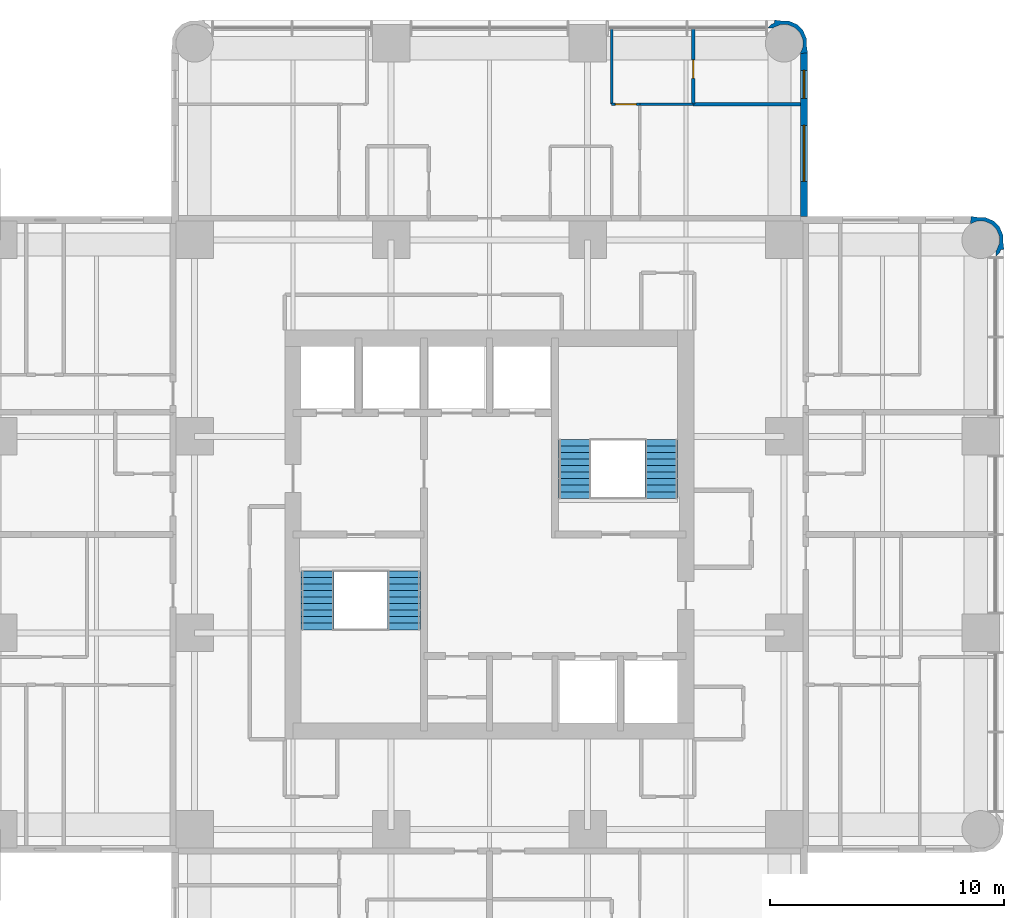
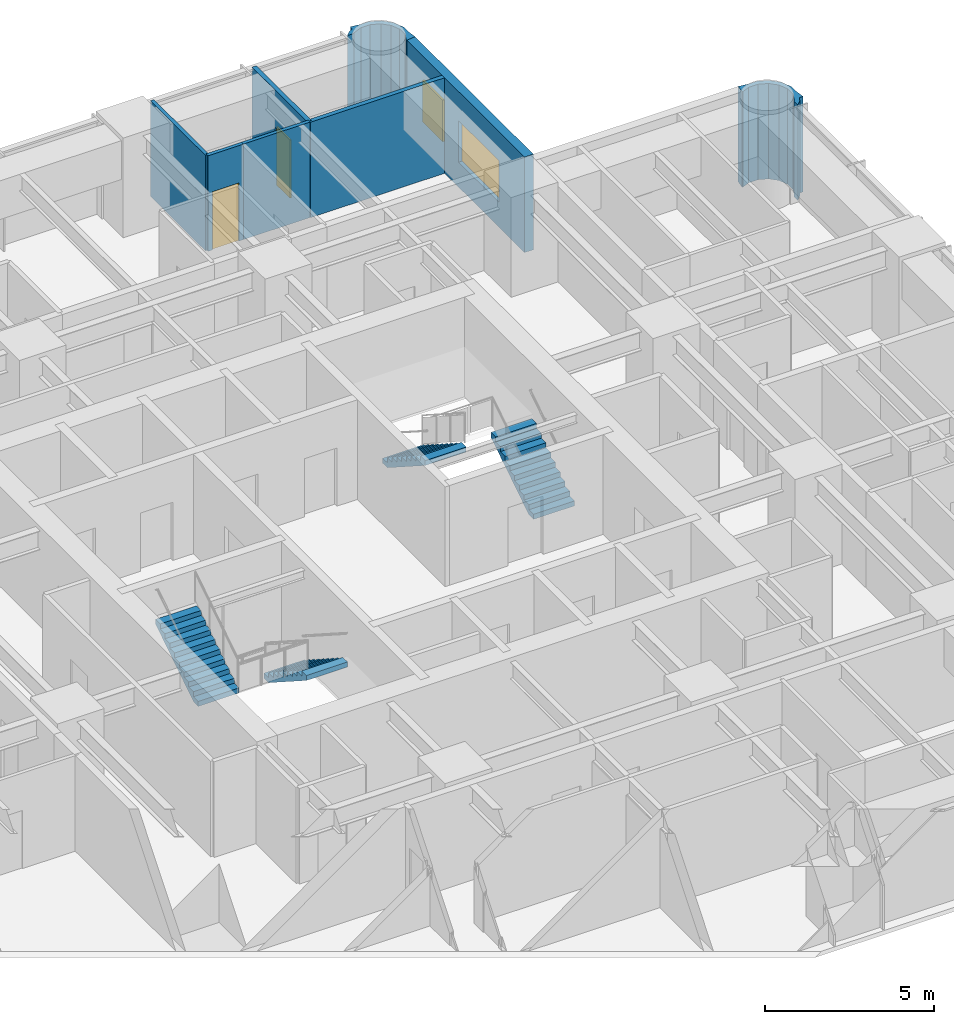
# One storey, part 10 of 11: 8 walls, 4 stair flights, 2 doors, 2 windows, 4 openings, 2 elements without a shape of their own.
"""IFC4 building model written with IfcOpenShell, lengths in metres."""

from ifc_helpers import new_model, si_unit, direction, frame, frame_2d, origin, place, context, subcontext, project, spatial, polyline, rectangle, outline, extrude, material, layer, layer_set, type_object, element, fill, aggregate, save


model = new_model("IFC4")

# Units and contexts
model_context = context("Model", 3, precision=1e-05, world=origin(), true_north=direction((0.0, 1.0)))
body_context = subcontext(model_context, "Body", "Model", "MODEL_VIEW")
ifc_project = project(units=[si_unit("LENGTHUNIT", "METRE"), si_unit("AREAUNIT", "SQUARE_METRE"), si_unit("VOLUMEUNIT", "CUBIC_METRE"), si_unit("PLANEANGLEUNIT", "RADIAN"), si_unit("MASSUNIT", "GRAM", prefix="KILO")], contexts=[model_context])

# Site, building, storey
site_placement = place(None, origin())
site = spatial("IfcSite", under=ifc_project, at=site_placement, CompositionType="ELEMENT")
building_placement = place(site_placement, origin())
building = spatial("IfcBuilding", under=site, at=building_placement, Name="Torre Alcanfor", CompositionType="ELEMENT")
storey_placement = place(building_placement, frame((0.0, 0.0, 240.89990234375)))
storey = spatial("IfcBuildingStorey", under=building, at=storey_placement, Name="L63", CompositionType="ELEMENT", Elevation=240.89990234375)

# Wall
ifc_material_1 = material(Name="Gypsum board on steel studs", Category="steel")
ifc_layer_1 = layer(ifc_material_1, 0.1201171875)
ifc_layer_set_1 = layer_set([ifc_layer_1], Name="Apartment partition 120")
wall_type_1 = type_object("IfcWallType", Name="Apartment partition 120", PredefinedType="PARTITIONING", material=ifc_layer_set_1)
wall_1_placement = place(storey_placement, frame((34.62890625, 51.050048828125, 0.0), z_axis=(0.0, 0.0, 1.0), x_axis=(0.0, -1.0, 0.0)))
element("IfcWall", 1, at=wall_1_placement, inside=storey, type_object=wall_type_1, Name="Partition L63-NX-LIVING / L63-NX-BED1", PredefinedType="PARTITIONING", context=body_context, shape_type="SweptSolid", body=[
    extrude(rectangle(XDim=3.25, YDim=0.1201171875, at=frame_2d((1.625, 0.0))), origin(), (0.0, 0.0, 1.0), 3.4501953125),
])

# Wall, opening, door
wall_2_placement = place(storey_placement, frame((34.62890625, 47.800048828125, 0.0), z_axis=(0.0, 0.0, 1.0), x_axis=(1.0, 0.0, 0.0)))
wall_2 = element("IfcWall", 2, at=wall_2_placement, inside=storey, type_object=wall_type_1, Name="Partition L63-NX-LIVING / L63-NX-BED1", PredefinedType="PARTITIONING", context=body_context, shape_type="SweptSolid", body=[
    extrude(rectangle(XDim=1.2001953125, YDim=0.1201171875, at=frame_2d((0.60009765625, 0.0))), origin(), (0.0, 0.0, 1.0), 3.4501953125),
])
opening_1_placement = place(wall_2_placement, frame((0.15087890625, 0.0, 0.0)))
opening_1 = element("IfcOpeningElement", 3, at=opening_1_placement, cuts=wall_2, Name="Opening D-R1", PredefinedType="OPENING", context=body_context, shape_type="SweptSolid", body=[
    extrude(rectangle(XDim=0.89990234375, YDim=2.10009765625, at=frame_2d((0.449951171875, 1.050048828125))), frame((0.0, 0.070068359375, 0.0), z_axis=(0.0, -1.0, 0.0), x_axis=(1.0, 0.0, 0.0)), (0.0, 0.0, 1.0), 0.14013671875),
])
ifc_material_2 = material(Name="Timber", Category="wood")
door_type_1 = type_object("IfcDoorType", Name="Internal door 900x2100", OperationType="SINGLE_SWING_LEFT", PredefinedType="DOOR", material=ifc_material_2)
door_1_placement = place(opening_1_placement, origin())
door_1 = element("IfcDoor", 4, at=door_1_placement, inside=storey, type_object=door_type_1, Name="Door L63-NX bed1", OperationType="SINGLE_SWING_LEFT", OverallHeight=2.10009765625, OverallWidth=0.89990234375, PredefinedType="DOOR", context=body_context, shape_type="SweptSolid", body=[
    extrude(rectangle(XDim=0.89990234375, YDim=2.10009765625, at=frame_2d((0.449951171875, 1.050048828125))), frame((0.0, 0.02490234375, 0.0), z_axis=(0.0, -1.0, 0.0), x_axis=(1.0, 0.0, 0.0)), (0.0, 0.0, 1.0), 0.050048828125),
])
fill(opening_1, door_1)

# Wall
wall_3_placement = place(storey_placement, frame((38.114013671875, 47.800048828125, 0.0), z_axis=(0.0, 0.0, 1.0), x_axis=(-1.0, 0.0, 0.0)))
element("IfcWall", 5, at=wall_3_placement, inside=storey, type_object=wall_type_1, Name="Partition L63-NX-BED3 / L63-NX-BED1", PredefinedType="PARTITIONING", context=body_context, shape_type="SweptSolid", body=[
    extrude(rectangle(XDim=2.284912109375, YDim=0.1201171875, at=frame_2d((1.142578125, 0.0))), origin(), (0.0, 0.0, 1.0), 3.4501953125),
])

# Wall, openings, windows
ifc_material_3 = material(Name="Limestone cladding", Category="masonry")
ifc_layer_2 = layer(ifc_material_3, 0.0400390625, Name="Facing")
ifc_material_4 = material(Name="Ventilated air cavity")
ifc_layer_3 = layer(ifc_material_4, 0.02001953125, ventilated=True, Name="Ventilated joint")
ifc_material_5 = material(Name="Mineral wool insulation", Category="insulation")
ifc_layer_4 = layer(ifc_material_5, 0.10009765625, Name="Insulation")
ifc_material_6 = material(Name="Concrete f'c 35 MPa", Category="concrete")
ifc_layer_5 = layer(ifc_material_6, 0.139892578125, Name="Backing")
ifc_layer_set_2 = layer_set([ifc_layer_2, ifc_layer_3, ifc_layer_4, ifc_layer_5], Name="External wall stone-clad 300")
wall_type_2 = type_object("IfcWallType", Name="External wall stone-clad 300", PredefinedType="SOLIDWALL", material=ifc_layer_set_2)
wall_4_placement = place(storey_placement, frame((42.85009765625, 43.0, 0.0), z_axis=(0.0, 0.0, 1.0), x_axis=(0.0, 1.0, 0.0)))
wall_4 = element("IfcWall", 6, at=wall_4_placement, inside=storey, type_object=wall_type_2, Name="External wall L63 10", PredefinedType="SOLIDWALL", context=body_context, shape_type="SweptSolid", body=[
    extrude(rectangle(XDim=7.0, YDim=0.300048828125, at=frame_2d((3.5, 0.0))), origin(), (0.0, 0.0, 1.0), 3.4501953125),
])
opening_2_placement = place(wall_4_placement, frame((1.5, 0.0, 0.89990234375)))
opening_2 = element("IfcOpeningElement", 7, at=opening_2_placement, cuts=wall_4, Name="Opening W1", PredefinedType="OPENING", context=body_context, shape_type="SweptSolid", body=[
    extrude(rectangle(XDim=2.39990234375, YDim=1.5, at=frame_2d((1.199951171875, 0.75))), frame((0.0, 0.159912109375, 0.0), z_axis=(0.0, -1.0, 0.0), x_axis=(1.0, 0.0, 0.0)), (0.0, 0.0, 1.0), 0.320068359375),
])
opening_3_placement = place(wall_4_placement, frame((5.050048828125, 0.0, 0.89990234375)))
opening_3 = element("IfcOpeningElement", 8, at=opening_3_placement, cuts=wall_4, Name="Opening W4", PredefinedType="OPENING", context=body_context, shape_type="SweptSolid", body=[
    extrude(rectangle(XDim=1.199951171875, YDim=1.5, at=frame_2d((0.60009765625, 0.75))), frame((0.0, 0.159912109375, 0.0), z_axis=(0.0, -1.0, 0.0), x_axis=(1.0, 0.0, 0.0)), (0.0, 0.0, 1.0), 0.320068359375),
])
ifc_material_7 = material(Name="Aluminium frame with clear double glazing", Category="aluminium")
window_type_1 = type_object("IfcWindowType", Name="Window bedroom 1200x1500", PartitioningType="SINGLE_PANEL", PredefinedType="WINDOW", material=ifc_material_7)
window_1_placement = place(opening_3_placement, origin())
window_1 = element("IfcWindow", 9, at=window_1_placement, inside=storey, type_object=window_type_1, Name="Window W4 L63-N2", OverallHeight=1.5, OverallWidth=1.199951171875, PartitioningType="SINGLE_PANEL", PredefinedType="WINDOW", context=body_context, shape_type="SweptSolid", body=[
    extrude(rectangle(XDim=1.199951171875, YDim=1.5, at=frame_2d((0.60009765625, 0.75))), frame((0.0, 0.030029296875, 0.0), z_axis=(0.0, -1.0, 0.0), x_axis=(1.0, 0.0, 0.0)), (0.0, 0.0, 1.0), 0.06005859375),
])
fill(opening_3, window_1)
ifc_material_8 = material(Name="Aluminium frame with clear double glazing", Category="aluminium")
window_type_2 = type_object("IfcWindowType", Name="Window bedroom 2400x1500", PartitioningType="SINGLE_PANEL", PredefinedType="WINDOW", material=ifc_material_8)
window_2_placement = place(opening_2_placement, origin())
window_2 = element("IfcWindow", 10, at=window_2_placement, inside=storey, type_object=window_type_2, Name="Window W1 L63-N2", OverallHeight=1.5, OverallWidth=2.39990234375, PartitioningType="SINGLE_PANEL", PredefinedType="WINDOW", context=body_context, shape_type="SweptSolid", body=[
    extrude(rectangle(XDim=2.39990234375, YDim=1.5, at=frame_2d((1.199951171875, 0.75))), frame((0.0, 0.030029296875, 0.0), z_axis=(0.0, -1.0, 0.0), x_axis=(1.0, 0.0, 0.0)), (0.0, 0.0, 1.0), 0.06005859375),
])
fill(opening_2, window_2)

# Walls
ifc_layer_6 = layer(ifc_material_3, 0.0400390625, Name="Facing")
ifc_layer_7 = layer(ifc_material_4, 0.02001953125, ventilated=True, Name="Ventilated joint")
ifc_layer_8 = layer(ifc_material_5, 0.10009765625, Name="Insulation")
ifc_layer_9 = layer(ifc_material_6, 0.139892578125, Name="Backing")
ifc_layer_set_3 = layer_set([ifc_layer_6, ifc_layer_7, ifc_layer_8, ifc_layer_9], Name="Rounded corner pier stone-clad 300")
wall_type_3 = type_object("IfcWallType", Name="Rounded corner pier stone-clad 300", PredefinedType="SOLIDWALL", material=ifc_layer_set_3)
wall_5_placement = place(storey_placement, frame((50.995317512, 41.351928198, 0.0), z_axis=(0.0, 0.0, 1.0), x_axis=(0.93923434088, 0.343276641956, 0.0)))
element("IfcWall", 11, at=wall_5_placement, inside=storey, type_object=wall_type_3, Name="Corner pier L63 18", PredefinedType="SOLIDWALL", context=body_context, shape_type="SweptSolid", body=[
    extrude(outline(polyline([(0.532070859575347, 0.3931211644652769), (0.6306288016994257, 0.6627841490537395), (0.6143771848633752, 1.0443311048893273), (0.45345696635520466, 1.3906341192975507), (0.17231172366982617, 1.649090202748046), (-0.09758056617764022, 1.74773195264604), (-0.36909183345629537, 1.8895948858729632), (-0.5092390395564855, 1.6213555819315348), (-0.49066531357717813, 1.6145671522444172), (-0.47932809452638603, 1.6086040111878088), (-0.2113001838193056, 1.620076634704648), (0.08794317918064642, 1.5107074897455302), (0.32266524235562133, 1.295211990161107), (0.4568756133186334, 1.0059793555180252), (0.4702267622199973, 0.6876171339758476), (0.3609414250347944, 0.3886030762348993), (0.14544592545037124, 0.1538810130599244), (0.10810166675911574, 0.13633750707535794), (0.030998514757285493, -0.07462333120813314), (0.24109735984581876, 0.023005481286426002), (0.3334973043867029, 0.12362143657357082), (0.46519074604266464, 0.09420475511640602), (0.532070859575347, 0.3931211644652769)])), origin(), (0.0, 0.0, 1.0), 3.4501953125),
])
wall_6_placement = place(storey_placement, frame((42.817059488, 50.073176205, 0.0), z_axis=(0.0, 0.0, 1.0), x_axis=(0.343276641956, 0.93923434088, 0.0)))
element("IfcWall", 12, at=wall_6_placement, inside=storey, type_object=wall_type_3, Name="Corner pier L63 19", PredefinedType="SOLIDWALL", context=body_context, shape_type="SweptSolid", body=[
    extrude(outline(polyline([(0.2655808672444785, -0.0550807599050476), (0.5354731570919448, 0.04356098999294611), (0.8166183997773234, 0.30201707344344164), (0.9775386182854939, 0.6483200878516648), (0.9937902351215443, 1.0298670436872528), (0.8952322929974657, 1.2995300282757154), (0.8283521794647835, 1.5984464376245864), (0.6966587378088214, 1.5690297561674216), (0.6042587932679374, 1.6696457114545662), (0.39415994817940425, 1.7672745239491254), (0.47126310018123446, 1.5563136856656343), (0.50860735887249, 1.538770179681068), (0.7241028584569131, 1.304048116506093), (0.833388195642116, 1.0050340587651447), (0.8200370467407522, 0.686671837222967), (0.68582667577774, 0.3974392025798854), (0.4511046126027651, 0.18194370299546214), (0.15186124960281305, 0.07257455803634424), (-0.11616666110426738, 0.08404718155318341), (-0.12750388015505948, 0.07808404049657515), (-0.14607760613436685, 0.07129561080945748), (-0.0059304000341767055, -0.19694369313197083), (0.2655808672444785, -0.0550807599050476)])), origin(), (0.0, 0.0, 1.0), 3.4501953125),
])
ifc_material_9 = material(Name="Cement board on steel studs", Category="steel")
ifc_layer_10 = layer(ifc_material_9, 0.14990234375)
ifc_layer_set_4 = layer_set([ifc_layer_10], Name="Wet area partition 150")
wall_type_4 = type_object("IfcWallType", Name="Wet area partition 150", PredefinedType="PARTITIONING", material=ifc_layer_set_4)
wall_7_placement = place(storey_placement, frame((42.699951171875, 47.800048828125, 0.0), z_axis=(0.0, 0.0, 1.0), x_axis=(-1.0, 0.0, 0.0)))
element("IfcWall", 13, at=wall_7_placement, inside=storey, type_object=wall_type_4, Name="Partition L63-NX-BED3 / L63-NX-BATH1", PredefinedType="PARTITIONING", context=body_context, shape_type="SweptSolid", body=[
    extrude(rectangle(XDim=4.5859375, YDim=0.14990234375, at=frame_2d((2.29296875, 0.0))), origin(), (0.0, 0.0, 1.0), 3.4501953125),
])

# Wall, opening, door
wall_8_placement = place(storey_placement, frame((38.114013671875, 51.050048828125, 0.0), z_axis=(0.0, 0.0, 1.0), x_axis=(0.0, -1.0, 0.0)))
wall_8 = element("IfcWall", 14, at=wall_8_placement, inside=storey, type_object=wall_type_4, Name="Partition L63-NX-BATH1 / L63-NX-BED1", PredefinedType="PARTITIONING", context=body_context, shape_type="SweptSolid", body=[
    extrude(rectangle(XDim=3.25, YDim=0.14990234375, at=frame_2d((1.625, 0.0))), origin(), (0.0, 0.0, 1.0), 3.4501953125),
])
opening_4_placement = place(wall_8_placement, frame((1.35009765625, 0.0, 0.0)))
opening_4 = element("IfcOpeningElement", 15, at=opening_4_placement, cuts=wall_8, Name="Opening D-R2", PredefinedType="OPENING", context=body_context, shape_type="SweptSolid", body=[
    extrude(rectangle(XDim=0.800048828125, YDim=2.10009765625, at=frame_2d((0.39990234375, 1.050048828125))), frame((0.0, 0.0849609375, 0.0), z_axis=(0.0, -1.0, 0.0), x_axis=(1.0, 0.0, 0.0)), (0.0, 0.0, 1.0), 0.169921875),
])
ifc_material_10 = material(Name="Timber", Category="wood")
door_type_2 = type_object("IfcDoorType", Name="Bathroom door 800x2100", OperationType="SINGLE_SWING_LEFT", PredefinedType="DOOR", material=ifc_material_10)
door_2_placement = place(opening_4_placement, frame((0.800048828125, 0.0, 0.0), z_axis=(0.0, 0.0, 1.0), x_axis=(-1.0, 0.0, 0.0)))
door_2 = element("IfcDoor", 16, at=door_2_placement, inside=storey, type_object=door_type_2, Name="Door L63-NX bath1", OperationType="SINGLE_SWING_LEFT", OverallHeight=2.10009765625, OverallWidth=0.800048828125, PredefinedType="DOOR", context=body_context, shape_type="SweptSolid", body=[
    extrude(rectangle(XDim=0.800048828125, YDim=2.10009765625, at=frame_2d((0.400146484375, 1.050048828125))), frame((0.0, 0.025146484375, 0.0), z_axis=(0.0, -1.0, 0.0), x_axis=(1.0, 0.0, 0.0)), (0.0, 0.0, 1.0), 0.050048828125),
])
fill(opening_4, door_2)

# Stair, stair flights
ifc_material_11 = material(Name="Concrete f'c 35 MPa", Category="concrete")
stair_type_1 = type_object("IfcStairType", Name="Exit stair S1 1400 wide", PredefinedType="HALF_TURN_STAIR", material=ifc_material_11)
stair_1_placement = place(storey_placement, origin())
stair_1 = element("IfcStair", 17, at=stair_1_placement, inside=storey, type_object=stair_type_1, Name="Stair S1 L63 to L64", PredefinedType="HALF_TURN_STAIR")
ifc_material_12 = material(Name="Concrete f'c 35 MPa", Category="concrete")
stair_flight_type = type_object("IfcStairFlightType", Name="Stair flight 1400", PredefinedType="STRAIGHT", material=ifc_material_12)
stair_flight_1_placement = place(storey_placement, frame((25.75, 27.85009765625, 0.0), z_axis=(0.0, 0.0, 1.0), x_axis=(0.0, -1.0, 0.0)))
stair_flight_1 = element("IfcStairFlight", 18, at=stair_flight_1_placement, type_object=stair_flight_type, Name="S1 flight 1", NumberOfRisers=10, NumberOfTreads=9, PredefinedType="STRAIGHT", RiserHeight=0.18, TreadLength=0.28, context=body_context, shape_type="SweptSolid", body=[
    extrude(outline(polyline([(0.0, 0.0), (0.0, 0.179931640625), (0.280029296875, 0.179931640625), (0.280029296875, 0.360107421875), (0.56005859375, 0.360107421875), (0.56005859375, 0.5400390625), (0.840087890625, 0.5400390625), (0.840087890625, 0.719970703125), (1.1201171875, 0.719970703125), (1.1201171875, 0.89990234375), (1.39990234375, 0.89990234375), (1.39990234375, 1.080078125), (1.679931640625, 1.080078125), (1.679931640625, 1.260009765625), (1.9599609375, 1.260009765625), (1.9599609375, 1.43994140625), (2.239990234375, 1.43994140625), (2.239990234375, 1.6201171875), (2.52001953125, 1.6201171875), (2.52001953125, 1.800048828125), (2.52001953125, 1.44189453125), (0.277099609375, 0.0), (0.0, 0.0)])), frame((0.0, 0.699951171875, 0.0), z_axis=(0.0, -1.0, 0.0), x_axis=(1.0, 0.0, 0.0)), (0.0, 0.0, 1.0), 1.39990234375),
])
stair_flight_2_placement = place(storey_placement, frame((22.050048828125, 25.330078125, 1.800048828125), z_axis=(0.0, 0.0, 1.0), x_axis=(0.0, 1.0, 0.0)))
stair_flight_2 = element("IfcStairFlight", 19, at=stair_flight_2_placement, type_object=stair_flight_type, Name="S1 flight 2", NumberOfRisers=10, NumberOfTreads=9, PredefinedType="STRAIGHT", RiserHeight=0.18, TreadLength=0.28, context=body_context, shape_type="SweptSolid", body=[
    extrude(outline(polyline([(0.0, 0.0), (0.0, 0.179931640625), (0.280029296875, 0.179931640625), (0.280029296875, 0.360107421875), (0.56005859375, 0.360107421875), (0.56005859375, 0.5400390625), (0.840087890625, 0.5400390625), (0.840087890625, 0.719970703125), (1.1201171875, 0.719970703125), (1.1201171875, 0.89990234375), (1.39990234375, 0.89990234375), (1.39990234375, 1.080078125), (1.679931640625, 1.080078125), (1.679931640625, 1.260009765625), (1.9599609375, 1.260009765625), (1.9599609375, 1.43994140625), (2.239990234375, 1.43994140625), (2.239990234375, 1.6201171875), (2.52001953125, 1.6201171875), (2.52001953125, 1.800048828125), (2.52001953125, 1.44189453125), (0.277099609375, 0.0), (0.0, 0.0)])), frame((0.0, 0.699951171875, 0.0), z_axis=(0.0, -1.0, 0.0), x_axis=(1.0, 0.0, 0.0)), (0.0, 0.0, 1.0), 1.39990234375),
])
aggregate(stair_1, [stair_flight_1, stair_flight_2])

ifc_material_13 = material(Name="Concrete f'c 35 MPa", Category="concrete")
stair_type_2 = type_object("IfcStairType", Name="Exit stair S2 1400 wide", PredefinedType="HALF_TURN_STAIR", material=ifc_material_13)
stair_2_placement = place(storey_placement, origin())
stair_2 = element("IfcStair", 20, at=stair_2_placement, inside=storey, type_object=stair_type_2, Name="Stair S2 L63 to L64", PredefinedType="HALF_TURN_STAIR")
stair_flight_3_placement = place(storey_placement, frame((36.75, 30.949951171875, 0.0), z_axis=(0.0, 0.0, 1.0), x_axis=(0.0, 1.0, 0.0)))
stair_flight_3 = element("IfcStairFlight", 21, at=stair_flight_3_placement, type_object=stair_flight_type, Name="S2 flight 1", NumberOfRisers=10, NumberOfTreads=9, PredefinedType="STRAIGHT", RiserHeight=0.18, TreadLength=0.28, context=body_context, shape_type="SweptSolid", body=[
    extrude(outline(polyline([(0.0, 0.0), (0.0, 0.179931640625), (0.280029296875, 0.179931640625), (0.280029296875, 0.360107421875), (0.56005859375, 0.360107421875), (0.56005859375, 0.5400390625), (0.840087890625, 0.5400390625), (0.840087890625, 0.719970703125), (1.1201171875, 0.719970703125), (1.1201171875, 0.89990234375), (1.39990234375, 0.89990234375), (1.39990234375, 1.080078125), (1.679931640625, 1.080078125), (1.679931640625, 1.260009765625), (1.9599609375, 1.260009765625), (1.9599609375, 1.43994140625), (2.239990234375, 1.43994140625), (2.239990234375, 1.6201171875), (2.52001953125, 1.6201171875), (2.52001953125, 1.800048828125), (2.52001953125, 1.44189453125), (0.277099609375, 0.0), (0.0, 0.0)])), frame((0.0, 0.699951171875, 0.0), z_axis=(0.0, -1.0, 0.0), x_axis=(1.0, 0.0, 0.0)), (0.0, 0.0, 1.0), 1.39990234375),
])
stair_flight_4_placement = place(storey_placement, frame((33.050048828125, 33.469970703125, 1.800048828125), z_axis=(0.0, 0.0, 1.0), x_axis=(0.0, -1.0, 0.0)))
stair_flight_4 = element("IfcStairFlight", 22, at=stair_flight_4_placement, type_object=stair_flight_type, Name="S2 flight 2", NumberOfRisers=10, NumberOfTreads=9, PredefinedType="STRAIGHT", RiserHeight=0.18, TreadLength=0.28, context=body_context, shape_type="SweptSolid", body=[
    extrude(outline(polyline([(0.0, 0.0), (0.0, 0.179931640625), (0.280029296875, 0.179931640625), (0.280029296875, 0.360107421875), (0.56005859375, 0.360107421875), (0.56005859375, 0.5400390625), (0.840087890625, 0.5400390625), (0.840087890625, 0.719970703125), (1.1201171875, 0.719970703125), (1.1201171875, 0.89990234375), (1.39990234375, 0.89990234375), (1.39990234375, 1.080078125), (1.679931640625, 1.080078125), (1.679931640625, 1.260009765625), (1.9599609375, 1.260009765625), (1.9599609375, 1.43994140625), (2.239990234375, 1.43994140625), (2.239990234375, 1.6201171875), (2.52001953125, 1.6201171875), (2.52001953125, 1.800048828125), (2.52001953125, 1.44189453125), (0.277099609375, 0.0), (0.0, 0.0)])), frame((0.0, 0.699951171875, 0.0), z_axis=(0.0, -1.0, 0.0), x_axis=(1.0, 0.0, 0.0)), (0.0, 0.0, 1.0), 1.39990234375),
])
aggregate(stair_2, [stair_flight_3, stair_flight_4])

save(model, "model.ifc")
